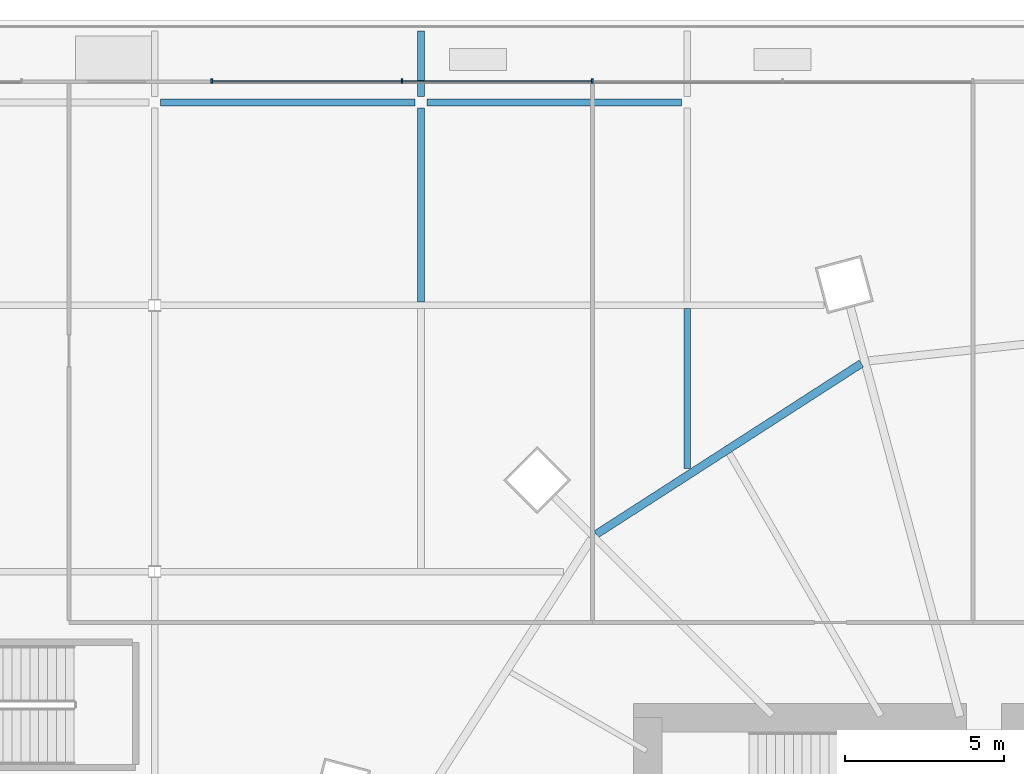
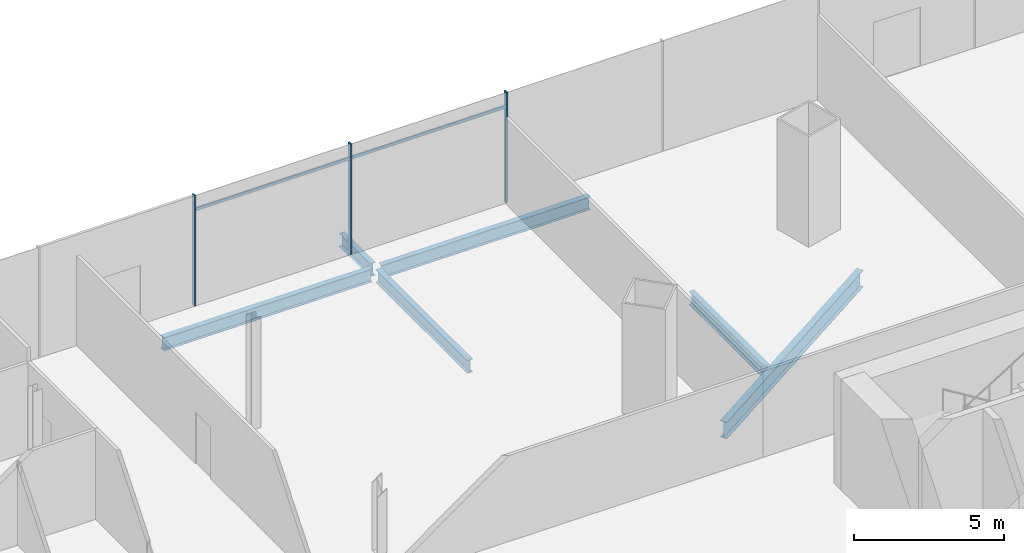
# One storey, part 27 of 52: 6 beams, 5 members, 1 element without a shape of its own.
"""IFC4 building model written with IfcOpenShell, lengths in metres."""

import ifcopenshell
import ifcopenshell.guid

model = None  # the IFC model being written
_history = None  # IfcOwnerHistory: only IFC2X3 demands one
_inside = {}  # id of a spatial element -> (the spatial element, [elements in it])
_under = {}  # id of a project, library or spatial element -> (it, [spatial elements below it])
_declared = {}  # id of a project -> (the project, [libraries it declares])
_typed = {}  # id of a type object -> (the type object, [elements of that type])
_made_of = {}  # id of a material, layer set ... -> (it, [elements and type objects made of it])


def new_model(schema):
    """Start an empty IFC model of exactly this schema.

    Asked for "IFC4X3", IfcOpenShell would pick the latest addendum, in which some entities
    have other attributes; the version numbers below select the first issue.
    IFC2X3 requires an IfcOwnerHistory on every rooted entity: one is made here for all.
    """
    global model, _history
    if schema == "IFC4X3":
        model = ifcopenshell.file(schema_version=(4, 3, 0, 0))
    else:
        model = ifcopenshell.file(schema=schema)
    _inside.clear()
    _under.clear()
    _declared.clear()
    _typed.clear()
    _made_of.clear()
    _history = None
    if model.schema == "IFC2X3":
        org = make("IfcOrganization", Name="unknown")
        user = make(
            "IfcPersonAndOrganization",
            ThePerson=make("IfcPerson", FamilyName="unknown"),
            TheOrganization=org,
        )
        app = make(
            "IfcApplication",
            ApplicationDeveloper=org,
            Version="unknown",
            ApplicationFullName="unknown",
            ApplicationIdentifier="unknown",
        )
        _history = make(
            "IfcOwnerHistory",
            OwningUser=user,
            OwningApplication=app,
            ChangeAction="ADDED",
            CreationDate=0,
        )
    return model


def make(cls, **values):
    """One entity of the class cls with the attributes given. An attribute that is None is left unset."""
    return model.create_entity(
        cls, **{name: value for name, value in values.items() if value is not None}
    )


def rooted(cls, **values):
    """An entity with a GlobalId (a new one), such as an element, a storey or a relation."""
    return make(cls, GlobalId=ifcopenshell.guid.new(), OwnerHistory=_history, **values)


def si_unit(unit_type, name, prefix=None):
    """IfcSIUnit, for example si_unit("LENGTHUNIT", "METRE", prefix="MILLI")."""
    return make("IfcSIUnit", UnitType=unit_type, Prefix=prefix, Name=name)


def assignment(units):
    """IfcUnitAssignment: the units of a project."""
    return None if units is None else make("IfcUnitAssignment", Units=units)


def point(xyz):
    """IfcCartesianPoint."""
    return None if xyz is None else make("IfcCartesianPoint", Coordinates=xyz)


def direction(xyz):
    """IfcDirection."""
    return None if xyz is None else make("IfcDirection", DirectionRatios=xyz)


def frame(location, z_axis=None, x_axis=None):
    """IfcAxis2Placement3D, a coordinate frame: its origin and axes. An axis left out is left unset."""
    return make(
        "IfcAxis2Placement3D",
        Location=point(location),
        Axis=direction(z_axis),
        RefDirection=direction(x_axis),
    )


def frame_2d(location, x_axis=None):
    """IfcAxis2Placement2D, a coordinate frame in the plane: its origin and x axis."""
    return make(
        "IfcAxis2Placement2D", Location=point(location), RefDirection=direction(x_axis)
    )


def origin():
    """The frame at (0, 0, 0) with its axes left unset."""
    return frame((0.0, 0.0, 0.0))


def origin_2d():
    """The frame at (0, 0) in the plane with its x axis left unset."""
    return frame_2d((0.0, 0.0))


def place(relative_to, where):
    """IfcLocalPlacement: puts the frame where relative to a parent placement (None: the world)."""
    return make(
        "IfcLocalPlacement", PlacementRelTo=relative_to, RelativePlacement=where
    )


def context(
    kind, dimensions, precision=None, world=None, true_north=None, identifier=None
):
    """IfcGeometricRepresentationContext, for example the 3D "Model" context."""
    return make(
        "IfcGeometricRepresentationContext",
        ContextIdentifier=identifier,
        ContextType=kind,
        CoordinateSpaceDimension=dimensions,
        Precision=precision,
        WorldCoordinateSystem=world,
        TrueNorth=true_north,
    )


def subcontext(parent, identifier, kind, view, scale=None):
    """IfcGeometricRepresentationSubContext, for example "Body" below "Model"."""
    return make(
        "IfcGeometricRepresentationSubContext",
        ContextIdentifier=identifier,
        ContextType=kind,
        ParentContext=parent,
        TargetScale=scale,
        TargetView=view,
    )


def project(units=None, contexts=None):
    """IfcProject with its units and contexts."""
    return rooted(
        "IfcProject",
        Name="project",
        RepresentationContexts=contexts,
        UnitsInContext=assignment(units),
    )


def spatial(cls, under=None, at=None, **own):
    """A site, building, storey or space (cls), placed at a placement, below another one or the project."""
    s = rooted(cls, ObjectPlacement=at, **own)
    if under is not None:
        _under.setdefault(under.id(), (under, []))[1].append(s)
    return s


def profile(cls, at=None, kind="AREA", **sizes):
    """A parametric profile (cls). Its sizes go by their IFC names, for example OverallWidth=200.0."""
    return make(cls, ProfileType=kind, Position=at, **sizes)


def rectangle(**sizes):
    """IfcRectangleProfileDef."""
    return profile("IfcRectangleProfileDef", **sizes)


def i_section(**sizes):
    """IfcIShapeProfileDef."""
    return profile("IfcIShapeProfileDef", **sizes)


def extrude(swept, where, along, depth):
    """IfcExtrudedAreaSolid: the profile swept, set in the frame where, extruded along a direction by depth."""
    return make(
        "IfcExtrudedAreaSolid",
        SweptArea=swept,
        Position=where,
        ExtrudedDirection=direction(along),
        Depth=depth,
    )


def shape(context_of_items, identifier, shape_type, items):
    """IfcShapeRepresentation: the items that make up one representation, for example the "Body"."""
    return make(
        "IfcShapeRepresentation",
        ContextOfItems=context_of_items,
        RepresentationIdentifier=identifier,
        RepresentationType=shape_type,
        Items=items,
    )


def material(Name=None, Category=None):
    """IfcMaterial."""
    return make("IfcMaterial", Name=Name, Category=Category)


def material_profile(
    of_material, cross_section, Name=None, Category=None, Priority=None
):
    """IfcMaterialProfile: a cross section and its material."""
    return make(
        "IfcMaterialProfile",
        Name=Name,
        Material=of_material,
        Profile=cross_section,
        Priority=Priority,
        Category=Category,
    )


def profile_set(profiles, Name=None, composite=None):
    """IfcMaterialProfileSet."""
    return make(
        "IfcMaterialProfileSet",
        Name=Name,
        MaterialProfiles=profiles,
        CompositeProfile=composite,
    )


def made_of(thing, what):
    """Note that an element or type object is made of a material, layer set ...; save() writes the relation."""
    if what is not None:
        _made_of.setdefault(what.id(), (what, []))[1].append(thing)
    return thing


def type_object(cls, material=None, **own):
    """A type object (cls), such as IfcWallType, which elements share."""
    return made_of(rooted(cls, **own), material)


def element(
    cls,
    number,
    at=None,
    inside=None,
    cuts=None,
    type_object=None,
    material=None,
    context=None,
    identifier="Body",
    shape_type=None,
    held_by="IfcProductDefinitionShape",
    body=None,
    shapes=None,
    **own,
):
    """One element of the class cls, such as IfcWall. Its Tag is "e" and its number.

    at: its placement. inside: the storey or other place that contains it. cuts: it is an
    opening in that element (IfcRelVoidsElement). A single representation is given by context,
    identifier, shape_type and body (its items); several are given by shapes. held_by: the class
    of the entity that holds the representations. save() writes the other relations.
    """
    e = rooted(cls, Tag="e%d" % number, ObjectPlacement=at, **own)
    if body is not None:
        shapes = [shape(context, identifier, shape_type, body)]
    if shapes is not None:
        e.Representation = make(held_by, Representations=shapes)
    if inside is not None:
        _inside.setdefault(inside.id(), (inside, []))[1].append(e)
    if cuts is not None:
        rooted(
            "IfcRelVoidsElement", RelatingBuildingElement=cuts, RelatedOpeningElement=e
        )
    if type_object is not None:
        _typed.setdefault(type_object.id(), (type_object, []))[1].append(e)
    return made_of(e, material)


def aggregate(whole, parts):
    """IfcRelAggregates: a whole, such as a stair, and the parts it consists of."""
    return rooted("IfcRelAggregates", RelatingObject=whole, RelatedObjects=parts)


def save(model, path):
    """Write the relations noted so far, then the file.

    IfcRelAggregates (storeys below a building ...), IfcRelContainedInSpatialStructure (elements
    in a storey), IfcRelDefinesByType, IfcRelAssociatesMaterial and IfcRelDeclares: one each for
    every whole, place, type object, material and project.
    """
    for whole, parts in _under.values():
        aggregate(whole, parts)
    for where, things in _inside.values():
        rooted(
            "IfcRelContainedInSpatialStructure",
            RelatedElements=things,
            RelatingStructure=where,
        )
    for kind, things in _typed.values():
        rooted("IfcRelDefinesByType", RelatedObjects=things, RelatingType=kind)
    for what, things in _made_of.values():
        rooted("IfcRelAssociatesMaterial", RelatedObjects=things, RelatingMaterial=what)
    for by, libraries in _declared.values():
        rooted("IfcRelDeclares", RelatingContext=by, RelatedDefinitions=libraries)
    model.write(path)


model = new_model("IFC4")

# Units and contexts
model_context = context("Model", 3, precision=1e-05, world=origin(), true_north=direction((0.0, 1.0)))
body_context = subcontext(model_context, "Body", "Model", "MODEL_VIEW")
ifc_project = project(units=[si_unit("LENGTHUNIT", "METRE"), si_unit("AREAUNIT", "SQUARE_METRE"), si_unit("VOLUMEUNIT", "CUBIC_METRE"), si_unit("PLANEANGLEUNIT", "RADIAN"), si_unit("MASSUNIT", "GRAM", prefix="KILO")], contexts=[model_context])

# Site, building, storey
site_placement = place(None, origin())
site = spatial("IfcSite", under=ifc_project, at=site_placement, CompositionType="ELEMENT")
building_placement = place(site_placement, origin())
building = spatial("IfcBuilding", under=site, at=building_placement, Name="Rimbun Link Towers", CompositionType="ELEMENT")
storey_placement = place(building_placement, frame((0.0, 0.0, 21.0)))
storey = spatial("IfcBuildingStorey", under=building, at=storey_placement, Name="L04", CompositionType="ELEMENT", Elevation=21.0)

# Curtain wall, members
ifc_material_1 = material(Name="Aluminium 6063-T6 and low-iron glass", Category="aluminium")
curtain_wall_type = type_object("IfcCurtainWallType", Name="CW3 podium shopfront", PredefinedType="NOTDEFINED", material=ifc_material_1)
curtain_wall_placement = place(storey_placement, origin())
curtain_wall = element("IfcCurtainWall", 1, at=curtain_wall_placement, inside=storey, type_object=curtain_wall_type, Name="CW3 L04 PD", PredefinedType="NOTDEFINED")
ifc_material_2 = material(Name="Aluminium 6063-T6", Category="aluminium")
ifc_material_profile_1 = material_profile(ifc_material_2, rectangle(XDim=0.14990234375, YDim=0.06005859375, at=origin_2d()), Name="MULLION 60X150")
ifc_profile_set_1 = profile_set([ifc_material_profile_1], Name="Aluminium 6063-T6")
member_type_1 = type_object("IfcMemberType", Name="CW3 mullion 60X150", PredefinedType="MULLION", material=ifc_profile_set_1)
member_1_placement = place(storey_placement, frame((18.0, 28.074951171875, 0.0), z_axis=(0.0, 0.0, 1.0), x_axis=(0.0, 1.0, 0.0)))
member_1 = element("IfcMember", 2, at=member_1_placement, type_object=member_type_1, Name="CW3 mullion", PredefinedType="MULLION", context=body_context, shape_type="SweptSolid", body=[
    extrude(rectangle(XDim=0.14990234375, YDim=0.06005859375, at=origin_2d()), origin(), (0.0, 0.0, 1.0), 4.5),
])
member_2_placement = place(storey_placement, frame((12.0, 28.074951171875, 0.0), z_axis=(0.0, 0.0, 1.0), x_axis=(0.0, 1.0, 0.0)))
member_2 = element("IfcMember", 3, at=member_2_placement, type_object=member_type_1, Name="CW3 mullion", PredefinedType="MULLION", context=body_context, shape_type="SweptSolid", body=[
    extrude(rectangle(XDim=0.14990234375, YDim=0.06005859375, at=origin_2d()), origin(), (0.0, 0.0, 1.0), 4.5),
])
member_3_placement = place(storey_placement, frame((6.0, 28.074951171875, 0.0), z_axis=(0.0, 0.0, 1.0), x_axis=(0.0, 1.0, 0.0)))
member_3 = element("IfcMember", 4, at=member_3_placement, type_object=member_type_1, Name="CW3 mullion", PredefinedType="MULLION", context=body_context, shape_type="SweptSolid", body=[
    extrude(rectangle(XDim=0.14990234375, YDim=0.06005859375, at=origin_2d()), origin(), (0.0, 0.0, 1.0), 4.5),
])
ifc_material_3 = material(Name="Aluminium 6063-T6", Category="aluminium")
ifc_material_profile_2 = material_profile(ifc_material_3, rectangle(XDim=0.06005859375, YDim=0.1201171875, at=origin_2d()), Name="TRANSOM 60X120")
ifc_profile_set_2 = profile_set([ifc_material_profile_2], Name="Aluminium 6063-T6")
member_type_2 = type_object("IfcMemberType", Name="CW3 transom 60X120", PredefinedType="USERDEFINED", material=ifc_profile_set_2)
member_4_placement = place(storey_placement, frame((12.030029296875, 28.053955078125, 3.89990234375), z_axis=(1.0, 0.0, 0.0), x_axis=(0.0, 1.0, 0.0)))
member_4 = element("IfcMember", 5, at=member_4_placement, type_object=member_type_2, Name="CW3 transom", ObjectType="TRANSOM", PredefinedType="USERDEFINED", context=body_context, shape_type="SweptSolid", body=[
    extrude(rectangle(XDim=0.06005859375, YDim=0.1201171875, at=origin_2d()), origin(), (0.0, 0.0, 1.0), 5.93994140625),
])
member_5_placement = place(storey_placement, frame((6.030029296875, 28.053955078125, 3.89990234375), z_axis=(1.0, 0.0, 0.0), x_axis=(0.0, 1.0, 0.0)))
member_5 = element("IfcMember", 6, at=member_5_placement, type_object=member_type_2, Name="CW3 transom", ObjectType="TRANSOM", PredefinedType="USERDEFINED", context=body_context, shape_type="SweptSolid", body=[
    extrude(rectangle(XDim=0.06005859375, YDim=0.1201171875, at=origin_2d()), origin(), (0.0, 0.0, 1.0), 5.93994140625),
])
aggregate(curtain_wall, [member_1, member_2, member_3, member_4, member_5])

# Beams
ifc_material_4 = material(Name="Steel S355J2", Category="steel")
ifc_material_profile_3 = material_profile(ifc_material_4, i_section(OverallWidth=0.209228515625, OverallDepth=0.533203125, WebThickness=0.010009765625, FlangeThickness=0.015625, at=origin_2d()), Name="UB 533x210x92")
ifc_profile_set_3 = profile_set([ifc_material_profile_3], Name="Steel S355J2")
beam_type_1 = type_object("IfcBeamType", Name="UB 533x210x92", PredefinedType="BEAM", material=ifc_profile_set_3)
for number, where, z_axis, x_axis, name in (
    (7, (4.38525390625, 27.39990234375, -0.56640625), (1.0, 0.0, 0.0), (0.0, 1.0, 0.0), "Grid beam L04 +27.4"),
    (8, (12.78515625, 27.39990234375, -0.56640625), (1.0, 0.0, 0.0), (0.0, 1.0, 0.0), "Grid beam L04 +27.4"),
):
    element("IfcBeam", number, at=place(storey_placement, frame(where, z_axis=z_axis, x_axis=x_axis)), inside=storey, type_object=beam_type_1, Name=name, PredefinedType="BEAM", context=body_context, shape_type="SweptSolid", body=[
        extrude(i_section(OverallWidth=0.209228515625, OverallDepth=0.533203125, WebThickness=0.010009765625, FlangeThickness=0.015625, at=origin_2d()), origin(), (0.0, 0.0, 1.0), 8.029541015625),
    ])
beam_1_placement = place(storey_placement, frame((12.60009765625, 21.1044921875, -0.56640625), z_axis=(0.0, 1.0, 0.0), x_axis=(-1.0, 0.0, 0.0)))
element("IfcBeam", 9, at=beam_1_placement, inside=storey, type_object=beam_type_1, Name="Grid beam L04 +12.6", PredefinedType="BEAM", context=body_context, shape_type="SweptSolid", body=[
    extrude(i_section(OverallWidth=0.209228515625, OverallDepth=0.533203125, WebThickness=0.010009765625, FlangeThickness=0.015625, at=origin_2d()), origin(), (0.0, 0.0, 1.0), 6.114501953125),
])
beam_2_placement = place(storey_placement, frame((12.60009765625, 27.5810546875, -0.56640625), z_axis=(0.0, 1.0, 0.0), x_axis=(-1.0, 0.0, 0.0)))
element("IfcBeam", 10, at=beam_2_placement, inside=storey, type_object=beam_type_1, Name="Grid beam L04 +12.6", PredefinedType="BEAM", context=body_context, shape_type="SweptSolid", body=[
    extrude(i_section(OverallWidth=0.209228515625, OverallDepth=0.533203125, WebThickness=0.010009765625, FlangeThickness=0.015625, at=origin_2d()), origin(), (0.0, 0.0, 1.0), 2.06787109375),
])
beam_3_placement = place(storey_placement, frame((21.0, 15.8525390625, -0.56640625), z_axis=(0.0, 1.0, 0.0), x_axis=(-1.0, 0.0, 0.0)))
element("IfcBeam", 11, at=beam_3_placement, inside=storey, type_object=beam_type_1, Name="Grid beam L04 +21.0", PredefinedType="BEAM", context=body_context, shape_type="SweptSolid", body=[
    extrude(i_section(OverallWidth=0.209228515625, OverallDepth=0.533203125, WebThickness=0.010009765625, FlangeThickness=0.015625, at=origin_2d()), origin(), (0.0, 0.0, 1.0), 5.04296875),
])
ifc_material_5 = material(Name="Steel S355J2", Category="steel")
ifc_material_profile_4 = material_profile(ifc_material_5, i_section(OverallWidth=0.253662109375, OverallDepth=0.68359375, WebThickness=0.012451171875, FlangeThickness=0.01904296875, at=origin_2d()), Name="UB 686x254x140")
ifc_profile_set_4 = profile_set([ifc_material_profile_4], Name="Steel S355J2")
beam_type_2 = type_object("IfcBeamType", Name="UB 686x254x140", PredefinedType="BEAM", material=ifc_profile_set_4)
beam_4_placement = place(storey_placement, frame((26.482421875, 19.16552734375, -0.641845703125), z_axis=(-0.840626167656, -0.541615773636, 0.0), x_axis=(0.541615773636, -0.840626167656, 0.0)))
element("IfcBeam", 12, at=beam_4_placement, inside=storey, type_object=beam_type_2, Name="Edge beam T2 L04 04-06", PredefinedType="BEAM", context=body_context, shape_type="SweptSolid", body=[
    extrude(i_section(OverallWidth=0.253662109375, OverallDepth=0.68359375, WebThickness=0.012451171875, FlangeThickness=0.01904296875, at=origin_2d()), origin(), (0.0, 0.0, 1.0), 9.946533203125),
])

save(model, "model.ifc")
